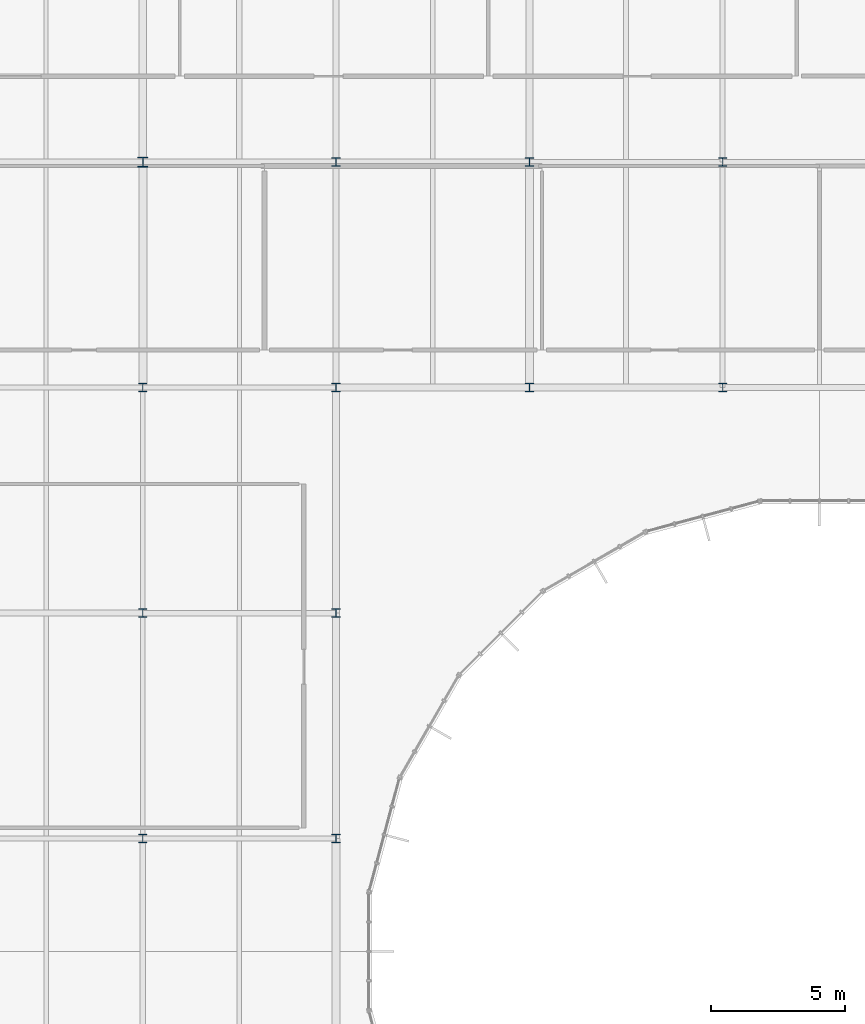
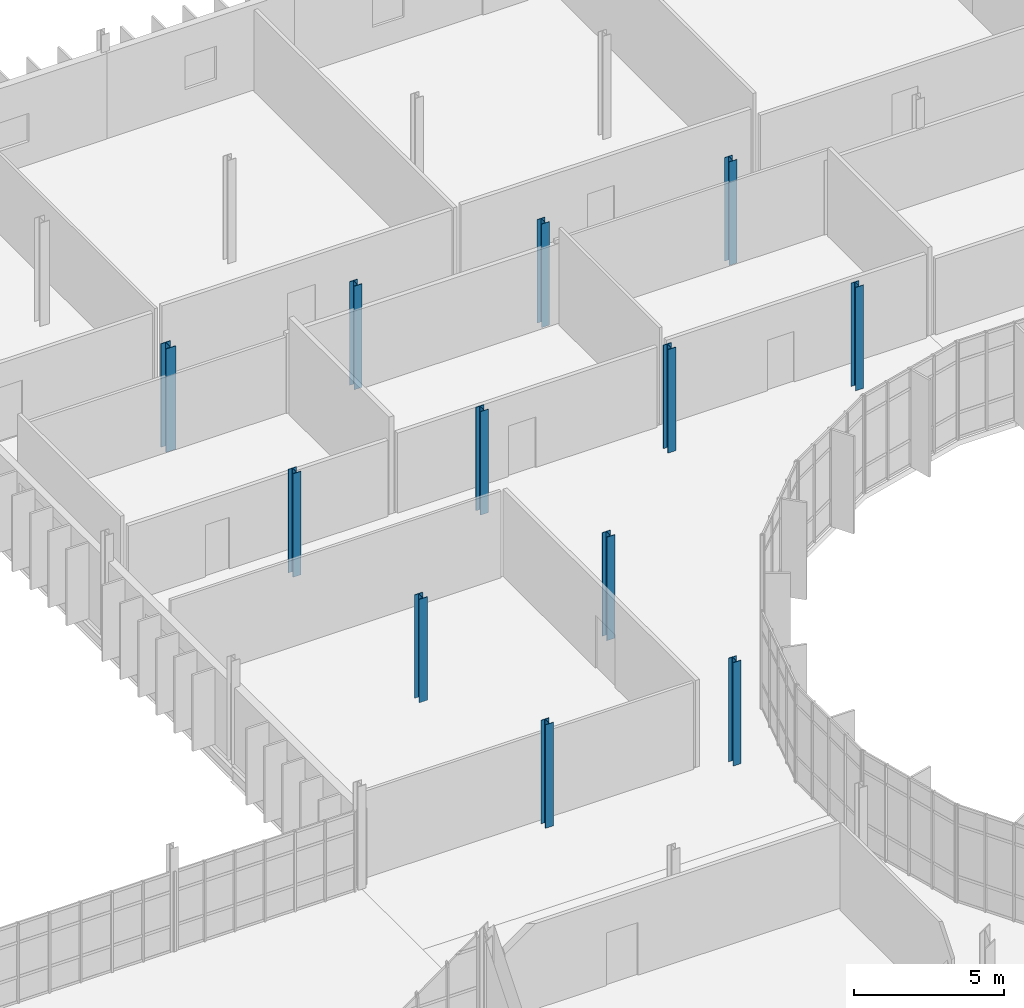
# One storey, part 18 of 119: 12 columns.
"""IFC4 building model written with IfcOpenShell, lengths in metres."""

from ifc_helpers import new_model, si_unit, direction, frame, origin, origin_2d, place, context, subcontext, project, spatial, i_section, extrude, material, material_profile, profile_set, type_object, element, save


model = new_model("IFC4")

# Units and contexts
model_context = context("Model", 3, precision=1e-05, world=origin(), true_north=direction((0.0, 1.0)))
body_context = subcontext(model_context, "Body", "Model", "MODEL_VIEW")
ifc_project = project(units=[si_unit("LENGTHUNIT", "METRE"), si_unit("AREAUNIT", "SQUARE_METRE"), si_unit("VOLUMEUNIT", "CUBIC_METRE"), si_unit("PLANEANGLEUNIT", "RADIAN"), si_unit("MASSUNIT", "GRAM", prefix="KILO")], contexts=[model_context])

# Site, building, storey
site_placement = place(None, origin())
site = spatial("IfcSite", under=ifc_project, at=site_placement, CompositionType="ELEMENT")
building_placement = place(site_placement, origin())
building = spatial("IfcBuilding", under=site, at=building_placement, Name="Qelthora Terrace Specialist Clinic", CompositionType="ELEMENT")
storey_placement = place(building_placement, frame((0.0, 0.0, 4.800048828125)))
storey = spatial("IfcBuildingStorey", under=building, at=storey_placement, Name="L01", CompositionType="ELEMENT", Elevation=4.800048828125)

# Columns
ifc_material = material(Name="Steel S355", Category="steel")
ifc_material_profile_1 = material_profile(ifc_material, i_section(OverallWidth=0.306884765625, OverallDepth=0.31396484375, WebThickness=0.011962890625, FlangeThickness=0.018798828125, FilletRadius=0.01611328125, at=origin_2d()), Name="W310X118")
ifc_profile_set_1 = profile_set([ifc_material_profile_1], Name="Steel S355")
column_type_1 = type_object("IfcColumnType", Name="COL-W310X118", PredefinedType="COLUMN", material=ifc_profile_set_1)
column_1_placement = place(storey_placement, frame((122.39990234375, 92.39990234375, 0.0), z_axis=(0.0, 0.0, 1.0), x_axis=(1.0, 0.0, 0.0)))
element("IfcColumn", 1, at=column_1_placement, inside=storey, type_object=column_type_1, Name="Column L01-204", PredefinedType="COLUMN", context=body_context, shape_type="SweptSolid", body=[
    extrude(i_section(OverallWidth=0.306884765625, OverallDepth=0.31396484375, WebThickness=0.011962890625, FlangeThickness=0.018798828125, FilletRadius=0.01611328125, at=origin_2d()), origin(), (0.0, 0.0, 1.0), 4.199951171875),
])
ifc_material_profile_2 = material_profile(ifc_material, i_section(OverallWidth=0.30810546875, OverallDepth=0.318115234375, WebThickness=0.01318359375, FlangeThickness=0.0205078125, FilletRadius=0.01611328125, at=origin_2d()), Name="W310X129")
ifc_profile_set_2 = profile_set([ifc_material_profile_2], Name="Steel S355")
column_type_2 = type_object("IfcColumnType", Name="COL-W310X129", PredefinedType="COLUMN", material=ifc_profile_set_2)
for number, where, z_axis, x_axis, name in (
    (2, (100.800048828125, 67.199951171875, 0.0), (0.0, 0.0, 1.0), (1.0, 0.0, 0.0), "Column L01-169"),
    (3, (100.800048828125, 84.0, 0.0), (0.0, 0.0, 1.0), (1.0, 0.0, 0.0), "Column L01-171"),
    (4, (108.0, 67.199951171875, 0.0), (0.0, 0.0, 1.0), (1.0, 0.0, 0.0), "Column L01-183"),
    (5, (108.0, 84.0, 0.0), (0.0, 0.0, 1.0), (1.0, 0.0, 0.0), "Column L01-185"),
    (6, (115.199951171875, 92.39990234375, 0.0), (0.0, 0.0, 1.0), (1.0, 0.0, 0.0), "Column L01-195"),
):
    element("IfcColumn", number, at=place(storey_placement, frame(where, z_axis=z_axis, x_axis=x_axis)), inside=storey, type_object=column_type_2, Name=name, PredefinedType="COLUMN", context=body_context, shape_type="SweptSolid", body=[
        extrude(i_section(OverallWidth=0.30810546875, OverallDepth=0.318115234375, WebThickness=0.01318359375, FlangeThickness=0.0205078125, FilletRadius=0.01611328125, at=origin_2d()), origin(), (0.0, 0.0, 1.0), 4.199951171875),
    ])
ifc_material_profile_3 = material_profile(ifc_material, i_section(OverallWidth=0.30908203125, OverallDepth=0.322998046875, WebThickness=0.013916015625, FlangeThickness=0.02294921875, FilletRadius=0.01611328125, at=origin_2d()), Name="W310X143")
ifc_profile_set_3 = profile_set([ifc_material_profile_3], Name="Steel S355")
column_type_3 = type_object("IfcColumnType", Name="COL-W310X143", PredefinedType="COLUMN", material=ifc_profile_set_3)
for number, where, z_axis, x_axis, name in (
    (7, (100.800048828125, 75.60009765625, 0.0), (0.0, 0.0, 1.0), (1.0, 0.0, 0.0), "Column L01-170"),
    (8, (108.0, 75.60009765625, 0.0), (0.0, 0.0, 1.0), (1.0, 0.0, 0.0), "Column L01-184"),
    (9, (108.0, 92.39990234375, 0.0), (0.0, 0.0, 1.0), (1.0, 0.0, 0.0), "Column L01-186"),
    (10, (115.199951171875, 84.0, 0.0), (0.0, 0.0, 1.0), (1.0, 0.0, 0.0), "Column L01-194"),
):
    element("IfcColumn", number, at=place(storey_placement, frame(where, z_axis=z_axis, x_axis=x_axis)), inside=storey, type_object=column_type_3, Name=name, PredefinedType="COLUMN", context=body_context, shape_type="SweptSolid", body=[
        extrude(i_section(OverallWidth=0.30908203125, OverallDepth=0.322998046875, WebThickness=0.013916015625, FlangeThickness=0.02294921875, FilletRadius=0.01611328125, at=origin_2d()), origin(), (0.0, 0.0, 1.0), 4.199951171875),
    ])
ifc_material_profile_4 = material_profile(ifc_material, i_section(OverallWidth=0.304931640625, OverallDepth=0.30810546875, WebThickness=0.010009765625, FlangeThickness=0.015380859375, FilletRadius=0.014892578125, at=origin_2d()), Name="W310X97")
ifc_profile_set_4 = profile_set([ifc_material_profile_4], Name="Steel S355")
column_type_4 = type_object("IfcColumnType", Name="COL-W310X97", PredefinedType="COLUMN", material=ifc_profile_set_4)
column_2_placement = place(storey_placement, frame((122.39990234375, 84.0, 0.0), z_axis=(0.0, 0.0, 1.0), x_axis=(1.0, 0.0, 0.0)))
element("IfcColumn", 11, at=column_2_placement, inside=storey, type_object=column_type_4, Name="Column L01-203", PredefinedType="COLUMN", context=body_context, shape_type="SweptSolid", body=[
    extrude(i_section(OverallWidth=0.304931640625, OverallDepth=0.30810546875, WebThickness=0.010009765625, FlangeThickness=0.015380859375, FilletRadius=0.014892578125, at=origin_2d()), origin(), (0.0, 0.0, 1.0), 4.199951171875),
])
ifc_material_profile_5 = material_profile(ifc_material, i_section(OverallWidth=0.373046875, OverallDepth=0.367919921875, WebThickness=0.014892578125, FlangeThickness=0.02392578125, FilletRadius=0.02001953125, at=origin_2d()), Name="W360X179")
ifc_profile_set_5 = profile_set([ifc_material_profile_5], Name="Steel S355")
column_type_5 = type_object("IfcColumnType", Name="COL-W360X179", PredefinedType="COLUMN", material=ifc_profile_set_5)
column_3_placement = place(storey_placement, frame((100.800048828125, 92.39990234375, 0.0), z_axis=(0.0, 0.0, 1.0), x_axis=(1.0, 0.0, 0.0)))
element("IfcColumn", 12, at=column_3_placement, inside=storey, type_object=column_type_5, Name="Column L01-172", PredefinedType="COLUMN", context=body_context, shape_type="SweptSolid", body=[
    extrude(i_section(OverallWidth=0.373046875, OverallDepth=0.367919921875, WebThickness=0.014892578125, FlangeThickness=0.02392578125, FilletRadius=0.02001953125, at=origin_2d()), origin(), (0.0, 0.0, 1.0), 4.199951171875),
])

save(model, "model.ifc")
